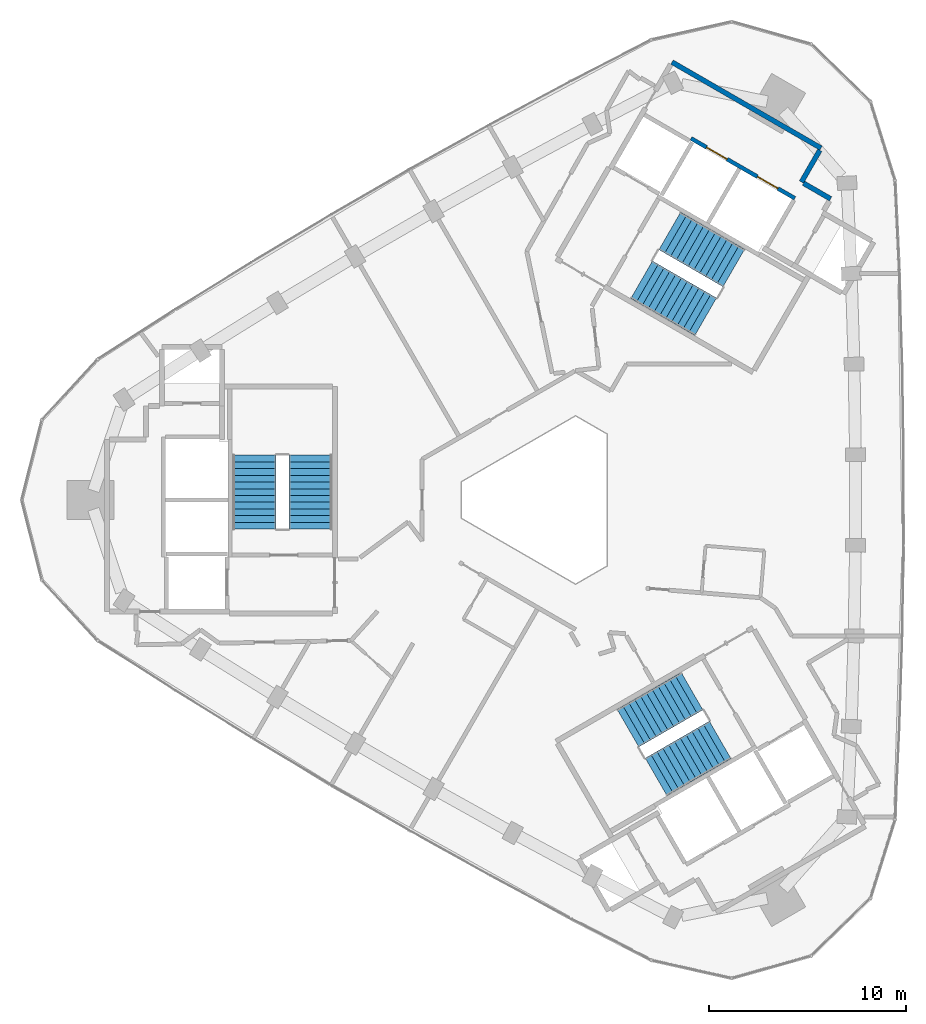
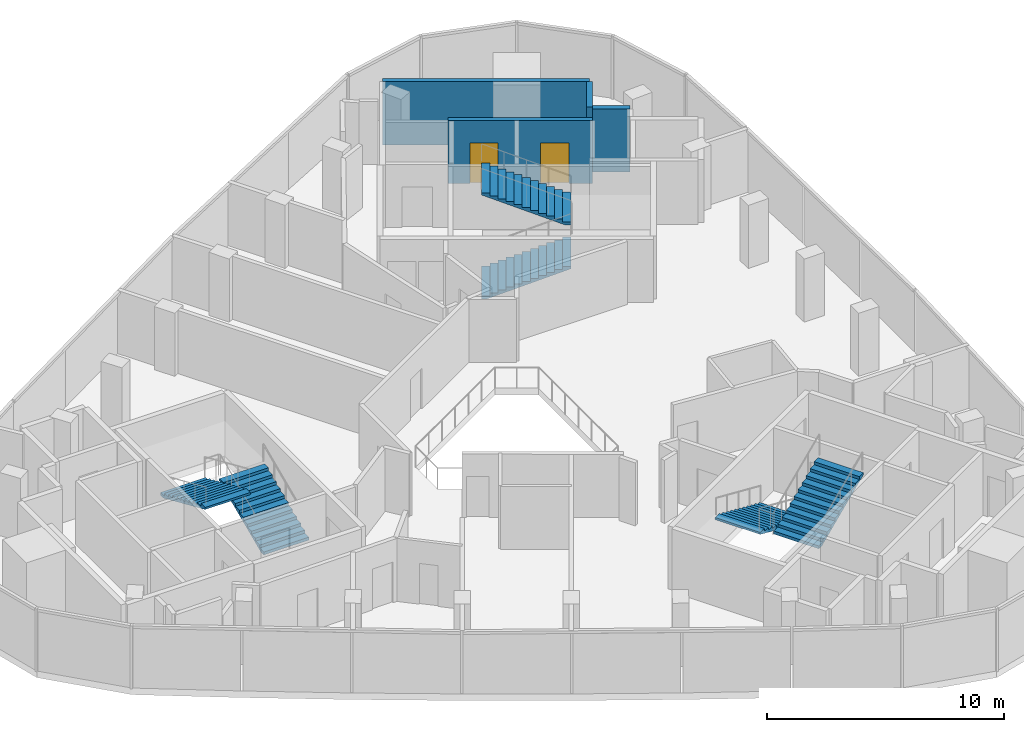
# One storey, part 9 of 10: 6 stair flights, 4 walls, 2 doors, 2 openings, 3 elements without a shape of their own.
"""IFC4 building model written with IfcOpenShell, lengths in metres."""

from ifc_helpers import new_model, si_unit, direction, frame, frame_2d, origin, place, context, subcontext, project, spatial, polyline, rectangle, outline, extrude, material, layer, layer_set, type_object, element, fill, aggregate, save


model = new_model("IFC4")

# Units and contexts
model_context = context("Model", 3, precision=1e-05, world=origin(), true_north=direction((0.0, 1.0)))
body_context = subcontext(model_context, "Body", "Model", "MODEL_VIEW")
ifc_project = project(units=[si_unit("LENGTHUNIT", "METRE"), si_unit("AREAUNIT", "SQUARE_METRE"), si_unit("VOLUMEUNIT", "CUBIC_METRE"), si_unit("PLANEANGLEUNIT", "RADIAN"), si_unit("MASSUNIT", "GRAM", prefix="KILO")], contexts=[model_context])

# Site, building, storey
site_placement = place(None, origin())
site = spatial("IfcSite", under=ifc_project, at=site_placement, CompositionType="ELEMENT")
building_placement = place(site_placement, origin())
building = spatial("IfcBuilding", under=site, at=building_placement, Name="Tamra Quay Hotel Tower", CompositionType="ELEMENT")
storey_placement = place(building_placement, frame((0.0, 0.0, 276.60009765625)))
storey = spatial("IfcBuildingStorey", under=building, at=storey_placement, Name="L70", CompositionType="ELEMENT", Elevation=276.60009765625)

# Wall, openings, doors
ifc_material_1 = material(Name="Concrete M70", Category="concrete")
ifc_layer_1 = layer(ifc_material_1, 0.199951171875)
ifc_layer_set_1 = layer_set([ifc_layer_1], Name="Concrete M70 core wall 200")
wall_type_1 = type_object("IfcWallType", Name="Concrete M70 core wall 200", PredefinedType="SHEAR", material=ifc_layer_set_1)
wall_1_placement = place(storey_placement, frame((12.552490234375, 15.341552734375, 0.0), z_axis=(0.0, 0.0, 1.0), x_axis=(-0.866030299012, 0.499991521122, 0.0)))
wall_1 = element("IfcWall", 1, at=wall_1_placement, inside=storey, type_object=wall_type_1, Name="CW2", PredefinedType="SHEAR", context=body_context, shape_type="SweptSolid", body=[
    extrude(rectangle(XDim=6.10009765625, YDim=0.199951171875, at=frame_2d((3.050048828125, 0.0))), origin(), (0.0, 0.0, 1.0), 3.25),
])
opening_1_placement = place(wall_1_placement, frame((1.0, 0.0, 0.0)))
opening_1 = element("IfcOpeningElement", 2, at=opening_1_placement, cuts=wall_1, Name="Opening LD", PredefinedType="OPENING", context=body_context, shape_type="SweptSolid", body=[
    extrude(rectangle(XDim=1.199951171875, YDim=2.10009765625, at=frame_2d((0.60009765625, 1.050048828125))), frame((0.0, 0.10986328125, 0.0), z_axis=(0.0, -1.0, 0.0), x_axis=(1.0, 0.0, 0.0)), (0.0, 0.0, 1.0), 0.219970703125),
])
opening_2_placement = place(wall_1_placement, frame((3.982177734375, 0.0, 0.0)))
opening_2 = element("IfcOpeningElement", 3, at=opening_2_placement, cuts=wall_1, Name="Opening LD", PredefinedType="OPENING", context=body_context, shape_type="SweptSolid", body=[
    extrude(rectangle(XDim=1.199951171875, YDim=2.10009765625, at=frame_2d((0.60009765625, 1.050048828125))), frame((0.0, 0.10986328125, 0.0), z_axis=(0.0, -1.0, 0.0), x_axis=(1.0, 0.0, 0.0)), (0.0, 0.0, 1.0), 0.219970703125),
])
ifc_material_2 = material(Name="Landing door LD 1200 double door sliding")
door_type = type_object("IfcDoorType", Name="Landing door LD 1200 double door sliding", OperationType="DOUBLE_DOOR_SLIDING", PredefinedType="DOOR", material=ifc_material_2)
door_1_placement = place(opening_1_placement, origin())
door_1 = element("IfcDoor", 4, at=door_1_placement, inside=storey, type_object=door_type, Name="LD", OperationType="DOUBLE_DOOR_SLIDING", OverallHeight=2.10009765625, OverallWidth=1.199951171875, PredefinedType="DOOR", context=body_context, shape_type="SweptSolid", body=[
    extrude(rectangle(XDim=1.199951171875, YDim=2.10009765625, at=frame_2d((0.60009765625, 1.050048828125))), frame((0.0, 0.02490234375, 0.0), z_axis=(0.0, -1.0, 0.0), x_axis=(1.0, 0.0, 0.0)), (0.0, 0.0, 1.0), 0.050048828125),
])
fill(opening_1, door_1)
door_2_placement = place(opening_2_placement, origin())
door_2 = element("IfcDoor", 5, at=door_2_placement, inside=storey, type_object=door_type, Name="LD", OperationType="DOUBLE_DOOR_SLIDING", OverallHeight=2.10009765625, OverallWidth=1.199951171875, PredefinedType="DOOR", context=body_context, shape_type="SweptSolid", body=[
    extrude(rectangle(XDim=1.199951171875, YDim=2.10009765625, at=frame_2d((0.60009765625, 1.050048828125))), frame((0.0, 0.02490234375, 0.0), z_axis=(0.0, -1.0, 0.0), x_axis=(1.0, 0.0, 0.0)), (0.0, 0.0, 1.0), 0.050048828125),
])
fill(opening_2, door_2)

# Walls
ifc_layer_2 = layer(ifc_material_1, 0.25)
ifc_layer_set_2 = layer_set([ifc_layer_2], Name="Concrete M70 core wall 250")
wall_type_2 = type_object("IfcWallType", Name="Concrete M70 core wall 250", PredefinedType="SHEAR", material=ifc_layer_set_2)
wall_2_placement = place(storey_placement, frame((6.303955078125, 22.268798828125, 0.0), z_axis=(0.0, 0.0, 1.0), x_axis=(0.866022959057, -0.500004234368, 0.0)))
element("IfcWall", 6, at=wall_2_placement, inside=storey, type_object=wall_type_2, Name="CW1", PredefinedType="SHEAR", context=body_context, shape_type="SweptSolid", body=[
    extrude(rectangle(XDim=8.75, YDim=0.25, at=frame_2d((4.375, 0.0))), origin(), (0.0, 0.0, 1.0), 3.25),
])
wall_3_placement = place(storey_placement, frame((13.819091796875, 17.78515625, 0.0), z_axis=(0.0, 0.0, 1.0), x_axis=(-0.500039802285, -0.866002422705, 0.0)))
element("IfcWall", 7, at=wall_3_placement, inside=storey, type_object=wall_type_2, Name="CW1", PredefinedType="SHEAR", context=body_context, shape_type="SweptSolid", body=[
    extrude(rectangle(XDim=1.864501953125, YDim=0.25, at=frame_2d((0.93212890625, 0.0))), origin(), (0.0, 0.0, 1.0), 3.25),
])
wall_4_placement = place(storey_placement, frame((12.995361328125, 16.107666015625, 0.0), z_axis=(0.0, 0.0, 1.0), x_axis=(0.866044474677, -0.49996696679, 0.0)))
element("IfcWall", 8, at=wall_4_placement, inside=storey, type_object=wall_type_2, Name="CW1", PredefinedType="SHEAR", context=body_context, shape_type="SweptSolid", body=[
    extrude(rectangle(XDim=1.58447265625, YDim=0.25, at=frame_2d((0.792236328125, 0.0))), origin(), (0.0, 0.0, 1.0), 3.25),
])

# Stair, stair flights
ifc_material_3 = material(Name="Exit stair 2200 24 risers 150.0 going 342")
stair_type = type_object("IfcStairType", Name="Exit stair 2200 24 risers 150.0 going 342", PredefinedType="HALF_TURN_STAIR", material=ifc_material_3)
stair_1_placement = place(storey_placement, origin())
stair_1 = element("IfcStair", 9, at=stair_1_placement, inside=storey, type_object=stair_type, Name="L70 Exit stair ST3", PredefinedType="HALF_TURN_STAIR")
ifc_material_4 = material(Name="Exit stair flight 2200 12 risers 150.0")
stair_flight_type = type_object("IfcStairFlightType", Name="Exit stair flight 2200 12 risers 150.0", PredefinedType="STRAIGHT", material=ifc_material_4)
stair_flight_1_placement = place(storey_placement, frame((-12.082275390625, -1.47998046875, 0.0), z_axis=(0.0, 0.0, 1.0), x_axis=(0.0, 1.0, 0.0)))
stair_flight_1 = element("IfcStairFlight", 10, at=stair_flight_1_placement, type_object=stair_flight_type, Name="ST3 flight 1", NumberOfRisers=12, NumberOfTreads=11, PredefinedType="STRAIGHT", RiserHeight=0.15, TreadLength=0.342, context=body_context, shape_type="SweptSolid", body=[
    extrude(outline(polyline([(0.0, 0.0), (0.0, 0.14990234375), (0.342041015625, 0.14990234375), (0.342041015625, 0.300048828125), (0.68408203125, 0.300048828125), (0.68408203125, 0.449951171875), (1.02587890625, 0.449951171875), (1.02587890625, 0.60009765625), (1.367919921875, 0.60009765625), (1.367919921875, 0.75), (1.7099609375, 0.75), (1.7099609375, 0.89990234375), (2.052001953125, 0.89990234375), (2.052001953125, 1.050048828125), (2.39404296875, 1.050048828125), (2.39404296875, 1.199951171875), (2.736083984375, 1.199951171875), (2.736083984375, 1.35009765625), (3.077880859375, 1.35009765625), (3.077880859375, 1.5), (3.419921875, 1.5), (3.419921875, 1.64990234375), (3.761962890625, 1.64990234375), (3.761962890625, 1.800048828125), (3.761962890625, 1.540771484375), (0.249267578125, 0.0), (0.0, 0.0)])), frame((0.0, 1.10009765625, 0.0), z_axis=(0.0, -1.0, 0.0), x_axis=(1.0, 0.0, 0.0)), (0.0, 0.0, 1.0), 2.199951171875),
])
stair_flight_2_placement = place(storey_placement, frame((-14.94140625, 2.281982421875, 1.7998046875), z_axis=(0.0, 0.0, 1.0), x_axis=(0.0, -1.0, 0.0)))
stair_flight_2 = element("IfcStairFlight", 11, at=stair_flight_2_placement, type_object=stair_flight_type, Name="ST3 flight 2", NumberOfRisers=12, NumberOfTreads=11, PredefinedType="STRAIGHT", RiserHeight=0.15, TreadLength=0.342, context=body_context, shape_type="SweptSolid", body=[
    extrude(outline(polyline([(0.0, 0.0), (0.0, 0.14990234375), (0.342041015625, 0.14990234375), (0.342041015625, 0.300048828125), (0.68408203125, 0.300048828125), (0.68408203125, 0.449951171875), (1.02587890625, 0.449951171875), (1.02587890625, 0.60009765625), (1.367919921875, 0.60009765625), (1.367919921875, 0.75), (1.7099609375, 0.75), (1.7099609375, 0.89990234375), (2.052001953125, 0.89990234375), (2.052001953125, 1.050048828125), (2.39404296875, 1.050048828125), (2.39404296875, 1.199951171875), (2.736083984375, 1.199951171875), (2.736083984375, 1.35009765625), (3.077880859375, 1.35009765625), (3.077880859375, 1.5), (3.419921875, 1.5), (3.419921875, 1.64990234375), (3.761962890625, 1.64990234375), (3.761962890625, 1.800048828125), (3.761962890625, 1.540771484375), (0.249267578125, 0.0), (0.0, 0.0)])), frame((0.0, 1.10009765625, 0.0), z_axis=(0.0, -1.0, 0.0), x_axis=(1.0, 0.0, 0.0)), (0.0, 0.0, 1.0), 2.199951171875),
])
aggregate(stair_1, [stair_flight_1, stair_flight_2])

stair_2_placement = place(storey_placement, origin())
stair_2 = element("IfcStair", 12, at=stair_2_placement, inside=storey, type_object=stair_type, Name="L70 Exit stair ST1", PredefinedType="HALF_TURN_STAIR")
stair_flight_3_placement = place(storey_placement, frame((4.75927734375, 11.20361328125, 0.0), z_axis=(0.0, 0.0, 1.0), x_axis=(0.866025403784, -0.5, 0.0)))
stair_flight_3 = element("IfcStairFlight", 13, at=stair_flight_3_placement, type_object=stair_flight_type, Name="ST1 flight 1", NumberOfRisers=12, NumberOfTreads=11, PredefinedType="STRAIGHT", RiserHeight=0.15, TreadLength=0.342, context=body_context, shape_type="SweptSolid", body=[
    extrude(outline(polyline([(0.0, 0.0), (0.0, 0.14990234375), (0.342041015625, 0.14990234375), (0.342041015625, 0.300048828125), (0.68408203125, 0.300048828125), (0.68408203125, 0.449951171875), (1.02587890625, 0.449951171875), (1.02587890625, 0.60009765625), (1.367919921875, 0.60009765625), (1.367919921875, 0.75), (1.7099609375, 0.75), (1.7099609375, 0.89990234375), (2.052001953125, 0.89990234375), (2.052001953125, 1.050048828125), (2.39404296875, 1.050048828125), (2.39404296875, 1.199951171875), (2.736083984375, 1.199951171875), (2.736083984375, 1.35009765625), (3.077880859375, 1.35009765625), (3.077880859375, 1.5), (3.419921875, 1.5), (3.419921875, 1.64990234375), (3.761962890625, 1.64990234375), (3.761962890625, 1.800048828125), (3.761962890625, 1.540771484375), (0.249267578125, 0.0), (0.0, 0.0)])), frame((0.0, 1.10009765625, 0.0), z_axis=(0.0, -1.0, 0.0), x_axis=(1.0, 0.0, 0.0)), (0.0, 0.0, 1.0), 2.199951171875),
])
stair_flight_4_placement = place(storey_placement, frame((9.44677734375, 11.798583984375, 1.7998046875), z_axis=(0.0, 0.0, 1.0), x_axis=(-0.866025403784, 0.5, 0.0)))
stair_flight_4 = element("IfcStairFlight", 14, at=stair_flight_4_placement, type_object=stair_flight_type, Name="ST1 flight 2", NumberOfRisers=12, NumberOfTreads=11, PredefinedType="STRAIGHT", RiserHeight=0.15, TreadLength=0.342, context=body_context, shape_type="SweptSolid", body=[
    extrude(outline(polyline([(0.0, 0.0), (0.0, 0.14990234375), (0.342041015625, 0.14990234375), (0.342041015625, 0.300048828125), (0.68408203125, 0.300048828125), (0.68408203125, 0.449951171875), (1.02587890625, 0.449951171875), (1.02587890625, 0.60009765625), (1.367919921875, 0.60009765625), (1.367919921875, 0.75), (1.7099609375, 0.75), (1.7099609375, 0.89990234375), (2.052001953125, 0.89990234375), (2.052001953125, 1.050048828125), (2.39404296875, 1.050048828125), (2.39404296875, 1.199951171875), (2.736083984375, 1.199951171875), (2.736083984375, 1.35009765625), (3.077880859375, 1.35009765625), (3.077880859375, 1.5), (3.419921875, 1.5), (3.419921875, 1.64990234375), (3.761962890625, 1.64990234375), (3.761962890625, 1.800048828125), (3.761962890625, 1.540771484375), (0.249267578125, 0.0), (0.0, 0.0)])), frame((0.0, 1.10009765625, 0.0), z_axis=(0.0, -1.0, 0.0), x_axis=(1.0, 0.0, 0.0)), (0.0, 0.0, 1.0), 2.199951171875),
])
aggregate(stair_2, [stair_flight_3, stair_flight_4])

stair_3_placement = place(storey_placement, origin())
stair_3 = element("IfcStair", 15, at=stair_3_placement, inside=storey, type_object=stair_type, Name="L70 Exit stair ST2", PredefinedType="HALF_TURN_STAIR")
stair_flight_5_placement = place(storey_placement, frame((7.322998046875, -9.7236328125, 0.0), z_axis=(0.0, 0.0, 1.0), x_axis=(-0.866025403784, -0.5, 0.0)))
stair_flight_5 = element("IfcStairFlight", 16, at=stair_flight_5_placement, type_object=stair_flight_type, Name="ST2 flight 1", NumberOfRisers=12, NumberOfTreads=11, PredefinedType="STRAIGHT", RiserHeight=0.15, TreadLength=0.342, context=body_context, shape_type="SweptSolid", body=[
    extrude(outline(polyline([(0.0, 0.0), (0.0, 0.14990234375), (0.342041015625, 0.14990234375), (0.342041015625, 0.300048828125), (0.68408203125, 0.300048828125), (0.68408203125, 0.449951171875), (1.02587890625, 0.449951171875), (1.02587890625, 0.60009765625), (1.367919921875, 0.60009765625), (1.367919921875, 0.75), (1.7099609375, 0.75), (1.7099609375, 0.89990234375), (2.052001953125, 0.89990234375), (2.052001953125, 1.050048828125), (2.39404296875, 1.050048828125), (2.39404296875, 1.199951171875), (2.736083984375, 1.199951171875), (2.736083984375, 1.35009765625), (3.077880859375, 1.35009765625), (3.077880859375, 1.5), (3.419921875, 1.5), (3.419921875, 1.64990234375), (3.761962890625, 1.64990234375), (3.761962890625, 1.800048828125), (3.761962890625, 1.540771484375), (0.249267578125, 0.0), (0.0, 0.0)])), frame((0.0, 1.10009765625, 0.0), z_axis=(0.0, -1.0, 0.0), x_axis=(1.0, 0.0, 0.0)), (0.0, 0.0, 1.0), 2.199951171875),
])
stair_flight_6_placement = place(storey_placement, frame((5.494384765625, -14.08056640625, 1.7998046875), z_axis=(0.0, 0.0, 1.0), x_axis=(0.866025403784, 0.5, 0.0)))
stair_flight_6 = element("IfcStairFlight", 17, at=stair_flight_6_placement, type_object=stair_flight_type, Name="ST2 flight 2", NumberOfRisers=12, NumberOfTreads=11, PredefinedType="STRAIGHT", RiserHeight=0.15, TreadLength=0.342, context=body_context, shape_type="SweptSolid", body=[
    extrude(outline(polyline([(0.0, 0.0), (0.0, 0.14990234375), (0.342041015625, 0.14990234375), (0.342041015625, 0.300048828125), (0.68408203125, 0.300048828125), (0.68408203125, 0.449951171875), (1.02587890625, 0.449951171875), (1.02587890625, 0.60009765625), (1.367919921875, 0.60009765625), (1.367919921875, 0.75), (1.7099609375, 0.75), (1.7099609375, 0.89990234375), (2.052001953125, 0.89990234375), (2.052001953125, 1.050048828125), (2.39404296875, 1.050048828125), (2.39404296875, 1.199951171875), (2.736083984375, 1.199951171875), (2.736083984375, 1.35009765625), (3.077880859375, 1.35009765625), (3.077880859375, 1.5), (3.419921875, 1.5), (3.419921875, 1.64990234375), (3.761962890625, 1.64990234375), (3.761962890625, 1.800048828125), (3.761962890625, 1.540771484375), (0.249267578125, 0.0), (0.0, 0.0)])), frame((0.0, 1.10009765625, 0.0), z_axis=(0.0, -1.0, 0.0), x_axis=(1.0, 0.0, 0.0)), (0.0, 0.0, 1.0), 2.199951171875),
])
aggregate(stair_3, [stair_flight_5, stair_flight_6])

save(model, "model.ifc")
